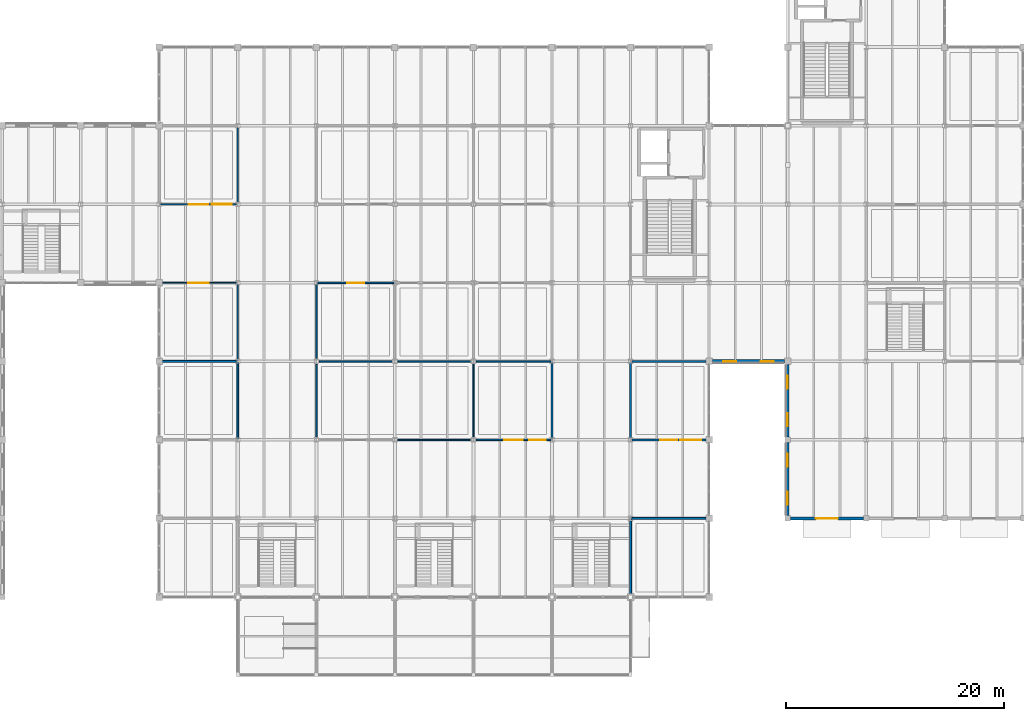
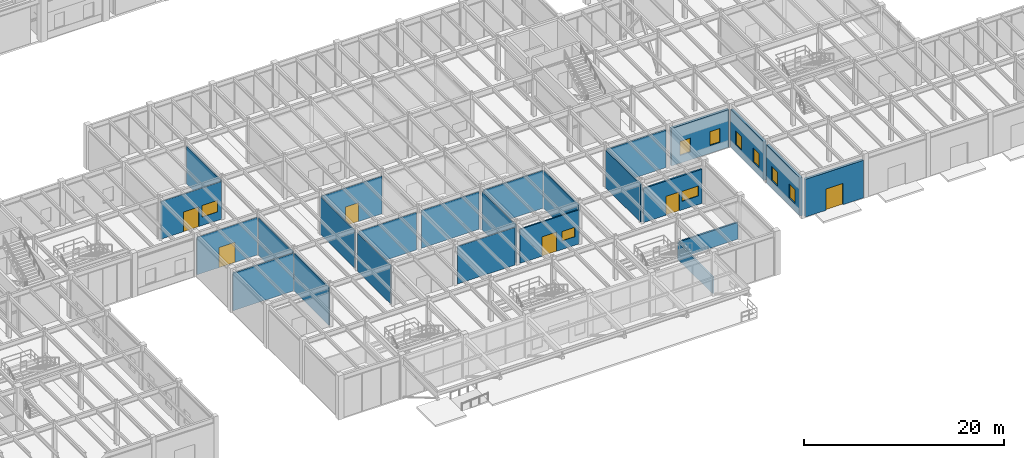
# One storey, part 36 of 97: 25 walls, 9 windows, 6 doors, 15 openings.
"""IFC4 building model written with IfcOpenShell, lengths in metres."""

from ifc_helpers import new_model, si_unit, direction, frame, frame_2d, origin, place, context, subcontext, project, spatial, rectangle, extrude, material, layer, layer_set, type_object, element, fill, save


model = new_model("IFC4")

# Units and contexts
model_context = context("Model", 3, precision=1e-05, world=origin(), true_north=direction((0.0, 1.0)))
body_context = subcontext(model_context, "Body", "Model", "MODEL_VIEW")
ifc_project = project(units=[si_unit("LENGTHUNIT", "METRE"), si_unit("AREAUNIT", "SQUARE_METRE"), si_unit("VOLUMEUNIT", "CUBIC_METRE"), si_unit("PLANEANGLEUNIT", "RADIAN"), si_unit("MASSUNIT", "GRAM", prefix="KILO")], contexts=[model_context])

# Site, building, storey
site_placement = place(None, origin())
site = spatial("IfcSite", under=ifc_project, at=site_placement, CompositionType="ELEMENT")
building_placement = place(site_placement, origin())
building = spatial("IfcBuilding", under=site, at=building_placement, Name="Sillqori Civic Hall", CompositionType="ELEMENT")
storey_placement = place(building_placement, origin())
storey = spatial("IfcBuildingStorey", under=building, at=storey_placement, Name="L01", CompositionType="ELEMENT", Elevation=0.0)

# Wall, openings, windows
ifc_material_1 = material(Name="Precast concrete C40/50 (H40)", Category="concrete")
ifc_layer_1 = layer(ifc_material_1, 0.300048828125)
ifc_layer_set_1 = layer_set([ifc_layer_1], Name="Precast concrete C40/50 (H40)")
wall_type_1 = type_object("IfcWallType", Name="EW-LIME-300", PredefinedType="SOLIDWALL", material=ifc_layer_set_1)
wall_1_placement = place(storey_placement, frame((122.10009765625, 28.800048828125, 0.0), z_axis=(0.0, 0.0, 1.0), x_axis=(-1.0, 0.0, 0.0)))
wall_1 = element("IfcWall", 1, at=wall_1_placement, inside=storey, type_object=wall_type_1, Name="L01 V3 exterior wall L01-16-04-S", PredefinedType="SOLIDWALL", context=body_context, shape_type="SweptSolid", body=[
    extrude(rectangle(XDim=6.60009765625, YDim=0.300048828125, at=frame_2d((3.300048828125, 0.0))), origin(), (0.0, 0.0, 1.0), 4.597900390625),
])
opening_1_placement = place(wall_1_placement, frame((0.98388671875, 0.0, 0.949951171875)))
opening_1 = element("IfcOpeningElement", 2, at=opening_1_placement, cuts=wall_1, Name="Opening W-22", PredefinedType="OPENING", context=body_context, shape_type="SweptSolid", body=[
    extrude(rectangle(XDim=1.199951171875, YDim=1.699951171875, at=frame_2d((0.60009765625, 0.85009765625))), frame((0.0, 0.159912109375, 0.0), z_axis=(0.0, -1.0, 0.0), x_axis=(1.0, 0.0, 0.0)), (0.0, 0.0, 1.0), 0.320068359375),
])
opening_2_placement = place(wall_1_placement, frame((4.416015625, 0.0, 0.949951171875)))
opening_2 = element("IfcOpeningElement", 3, at=opening_2_placement, cuts=wall_1, Name="Opening W-22", PredefinedType="OPENING", context=body_context, shape_type="SweptSolid", body=[
    extrude(rectangle(XDim=1.199951171875, YDim=1.699951171875, at=frame_2d((0.60009765625, 0.85009765625))), frame((0.0, 0.159912109375, 0.0), z_axis=(0.0, -1.0, 0.0), x_axis=(1.0, 0.0, 0.0)), (0.0, 0.0, 1.0), 0.320068359375),
])
ifc_material_2 = material(Name="Thermally Broken Aluminium Low-E Window", Category="aluminium")
window_type_1 = type_object("IfcWindowType", Name="WIN-V5-120X170", PartitioningType="SINGLE_PANEL", PredefinedType="WINDOW", material=ifc_material_2)
window_1_placement = place(opening_1_placement, origin())
window_1 = element("IfcWindow", 4, at=window_1_placement, inside=storey, type_object=window_type_1, Name="L01 V3 window L01-16-04-S.1", OverallHeight=1.699951171875, OverallWidth=1.199951171875, PartitioningType="SINGLE_PANEL", PredefinedType="WINDOW", context=body_context, shape_type="SweptSolid", body=[
    extrude(rectangle(XDim=1.199951171875, YDim=1.699951171875, at=frame_2d((0.60009765625, 0.85009765625))), frame((0.0, 0.030029296875, 0.0), z_axis=(0.0, -1.0, 0.0), x_axis=(1.0, 0.0, 0.0)), (0.0, 0.0, 1.0), 0.06005859375),
])
fill(opening_1, window_1)
window_2_placement = place(opening_2_placement, origin())
window_2 = element("IfcWindow", 5, at=window_2_placement, inside=storey, type_object=window_type_1, Name="L01 V3 window L01-16-04-S.2", OverallHeight=1.699951171875, OverallWidth=1.199951171875, PartitioningType="SINGLE_PANEL", PredefinedType="WINDOW", context=body_context, shape_type="SweptSolid", body=[
    extrude(rectangle(XDim=1.199951171875, YDim=1.699951171875, at=frame_2d((0.60009765625, 0.85009765625))), frame((0.0, 0.030029296875, 0.0), z_axis=(0.0, -1.0, 0.0), x_axis=(1.0, 0.0, 0.0)), (0.0, 0.0, 1.0), 0.06005859375),
])
fill(opening_2, window_2)

# Wall, opening, door
wall_2_placement = place(storey_placement, frame((129.35009765625, 14.39990234375, 0.0), z_axis=(0.0, 0.0, 1.0), x_axis=(-1.0, 0.0, 0.0)))
wall_2 = element("IfcWall", 6, at=wall_2_placement, inside=storey, type_object=wall_type_1, Name="L01 V3 exterior wall L01-17-02-S", PredefinedType="SOLIDWALL", context=body_context, shape_type="SweptSolid", body=[
    extrude(rectangle(XDim=6.7001953125, YDim=0.300048828125, at=frame_2d((3.35009765625, 0.0))), origin(), (0.0, 0.0, 1.0), 4.597900390625),
])
opening_3_placement = place(wall_2_placement, frame((2.35009765625, 0.0, 0.0)))
opening_3 = element("IfcOpeningElement", 7, at=opening_3_placement, cuts=wall_2, Name="Opening ED-03", PredefinedType="OPENING", context=body_context, shape_type="SweptSolid", body=[
    extrude(rectangle(XDim=2.0, YDim=2.60009765625, at=frame_2d((1.0, 1.300048828125))), frame((0.0, 0.159912109375, 0.0), z_axis=(0.0, -1.0, 0.0), x_axis=(1.0, 0.0, 0.0)), (0.0, 0.0, 1.0), 0.320068359375),
])
ifc_material_3 = material(Name="Thermally Broken Anodized Aluminium and Laminated Glass", Category="aluminium")
door_type_1 = type_object("IfcDoorType", Name="EDR-LIBR-200X260", OperationType="NOTDEFINED", PredefinedType="DOOR", material=ifc_material_3)
door_1_placement = place(opening_3_placement, origin())
door_1 = element("IfcDoor", 8, at=door_1_placement, inside=storey, type_object=door_type_1, Name="Members Library West Entrance", OperationType="DOUBLE_DOOR_SINGLE_SWING", OverallHeight=2.60009765625, OverallWidth=2.0, PredefinedType="DOOR", context=body_context, shape_type="SweptSolid", body=[
    extrude(rectangle(XDim=2.0, YDim=2.60009765625, at=frame_2d((1.0, 1.300048828125))), frame((0.0, 0.02490234375, 0.0), z_axis=(0.0, -1.0, 0.0), x_axis=(1.0, 0.0, 0.0)), (0.0, 0.0, 1.0), 0.050048828125),
])
fill(opening_3, door_1)

# Wall, openings, windows
wall_3_placement = place(storey_placement, frame((122.39990234375, 14.64990234375, 0.0), z_axis=(0.0, 0.0, 1.0), x_axis=(0.0, 1.0, 0.0)))
wall_3 = element("IfcWall", 9, at=wall_3_placement, inside=storey, type_object=wall_type_1, Name="L01 V3 exterior wall L01-17-02-W", PredefinedType="SOLIDWALL", context=body_context, shape_type="SweptSolid", body=[
    extrude(rectangle(XDim=6.7001953125, YDim=0.300048828125, at=frame_2d((3.35009765625, 0.0))), origin(), (0.0, 0.0, 1.0), 4.6669921875),
])
opening_4_placement = place(wall_3_placement, frame((1.008056640625, 0.0, 0.949951171875)))
opening_4 = element("IfcOpeningElement", 10, at=opening_4_placement, cuts=wall_3, Name="Opening W-22", PredefinedType="OPENING", context=body_context, shape_type="SweptSolid", body=[
    extrude(rectangle(XDim=1.199951171875, YDim=1.699951171875, at=frame_2d((0.60009765625, 0.85009765625))), frame((0.0, 0.159912109375, 0.0), z_axis=(0.0, -1.0, 0.0), x_axis=(1.0, 0.0, 0.0)), (0.0, 0.0, 1.0), 0.320068359375),
])
opening_5_placement = place(wall_3_placement, frame((4.491943359375, 0.0, 0.949951171875)))
opening_5 = element("IfcOpeningElement", 11, at=opening_5_placement, cuts=wall_3, Name="Opening W-22", PredefinedType="OPENING", context=body_context, shape_type="SweptSolid", body=[
    extrude(rectangle(XDim=1.199951171875, YDim=1.699951171875, at=frame_2d((0.60009765625, 0.85009765625))), frame((0.0, 0.159912109375, 0.0), z_axis=(0.0, -1.0, 0.0), x_axis=(1.0, 0.0, 0.0)), (0.0, 0.0, 1.0), 0.320068359375),
])
window_3_placement = place(opening_4_placement, origin())
window_3 = element("IfcWindow", 12, at=window_3_placement, inside=storey, type_object=window_type_1, Name="L01 V3 window L01-17-02-W.1", OverallHeight=1.699951171875, OverallWidth=1.199951171875, PartitioningType="SINGLE_PANEL", PredefinedType="WINDOW", context=body_context, shape_type="SweptSolid", body=[
    extrude(rectangle(XDim=1.199951171875, YDim=1.699951171875, at=frame_2d((0.60009765625, 0.85009765625))), frame((0.0, 0.030029296875, 0.0), z_axis=(0.0, -1.0, 0.0), x_axis=(1.0, 0.0, 0.0)), (0.0, 0.0, 1.0), 0.06005859375),
])
fill(opening_4, window_3)
window_4_placement = place(opening_5_placement, origin())
window_4 = element("IfcWindow", 13, at=window_4_placement, inside=storey, type_object=window_type_1, Name="L01 V3 window L01-17-02-W.2", OverallHeight=1.699951171875, OverallWidth=1.199951171875, PartitioningType="SINGLE_PANEL", PredefinedType="WINDOW", context=body_context, shape_type="SweptSolid", body=[
    extrude(rectangle(XDim=1.199951171875, YDim=1.699951171875, at=frame_2d((0.60009765625, 0.85009765625))), frame((0.0, 0.030029296875, 0.0), z_axis=(0.0, -1.0, 0.0), x_axis=(1.0, 0.0, 0.0)), (0.0, 0.0, 1.0), 0.06005859375),
])
fill(opening_5, window_4)

wall_4_placement = place(storey_placement, frame((122.39990234375, 21.85009765625, 0.0), z_axis=(0.0, 0.0, 1.0), x_axis=(0.0, 1.0, 0.0)))
wall_4 = element("IfcWall", 14, at=wall_4_placement, inside=storey, type_object=wall_type_1, Name="L01 V3 exterior wall L01-17-03-W", PredefinedType="SOLIDWALL", context=body_context, shape_type="SweptSolid", body=[
    extrude(rectangle(XDim=6.64990234375, YDim=0.300048828125, at=frame_2d((3.324951171875, 0.0))), origin(), (0.0, 0.0, 1.0), 4.6669921875),
])
opening_6_placement = place(wall_4_placement, frame((0.99609375, 0.0, 0.949951171875)))
opening_6 = element("IfcOpeningElement", 15, at=opening_6_placement, cuts=wall_4, Name="Opening W-22", PredefinedType="OPENING", context=body_context, shape_type="SweptSolid", body=[
    extrude(rectangle(XDim=1.199951171875, YDim=1.699951171875, at=frame_2d((0.60009765625, 0.85009765625))), frame((0.0, 0.159912109375, 0.0), z_axis=(0.0, -1.0, 0.0), x_axis=(1.0, 0.0, 0.0)), (0.0, 0.0, 1.0), 0.320068359375),
])
opening_7_placement = place(wall_4_placement, frame((4.4541015625, 0.0, 0.949951171875)))
opening_7 = element("IfcOpeningElement", 16, at=opening_7_placement, cuts=wall_4, Name="Opening W-22", PredefinedType="OPENING", context=body_context, shape_type="SweptSolid", body=[
    extrude(rectangle(XDim=1.199951171875, YDim=1.699951171875, at=frame_2d((0.60009765625, 0.85009765625))), frame((0.0, 0.159912109375, 0.0), z_axis=(0.0, -1.0, 0.0), x_axis=(1.0, 0.0, 0.0)), (0.0, 0.0, 1.0), 0.320068359375),
])
window_5_placement = place(opening_6_placement, origin())
window_5 = element("IfcWindow", 17, at=window_5_placement, inside=storey, type_object=window_type_1, Name="L01 V3 window L01-17-03-W.1", OverallHeight=1.699951171875, OverallWidth=1.199951171875, PartitioningType="SINGLE_PANEL", PredefinedType="WINDOW", context=body_context, shape_type="SweptSolid", body=[
    extrude(rectangle(XDim=1.199951171875, YDim=1.699951171875, at=frame_2d((0.60009765625, 0.85009765625))), frame((0.0, 0.030029296875, 0.0), z_axis=(0.0, -1.0, 0.0), x_axis=(1.0, 0.0, 0.0)), (0.0, 0.0, 1.0), 0.06005859375),
])
fill(opening_6, window_5)
window_6_placement = place(opening_7_placement, origin())
window_6 = element("IfcWindow", 18, at=window_6_placement, inside=storey, type_object=window_type_1, Name="L01 V3 window L01-17-03-W.2", OverallHeight=1.699951171875, OverallWidth=1.199951171875, PartitioningType="SINGLE_PANEL", PredefinedType="WINDOW", context=body_context, shape_type="SweptSolid", body=[
    extrude(rectangle(XDim=1.199951171875, YDim=1.699951171875, at=frame_2d((0.60009765625, 0.85009765625))), frame((0.0, 0.030029296875, 0.0), z_axis=(0.0, -1.0, 0.0), x_axis=(1.0, 0.0, 0.0)), (0.0, 0.0, 1.0), 0.06005859375),
])
fill(opening_7, window_6)

# Wall, opening, door
ifc_material_4 = material(Name="Acoustic Steel-Stud Partition 104", Category="steel")
ifc_layer_2 = layer(ifc_material_4, 0.10400390625)
ifc_layer_set_2 = layer_set([ifc_layer_2], Name="Acoustic Steel-Stud Partition 104")
wall_type_2 = type_object("IfcWallType", Name="PT-GYP-104", PredefinedType="PARTITIONING", material=ifc_layer_set_2)
wall_5_placement = place(storey_placement, frame((64.919921875, 36.0, 0.0), z_axis=(0.0, 0.0, 1.0), x_axis=(1.0, 0.0, 0.0)))
wall_5 = element("IfcWall", 19, at=wall_5_placement, inside=storey, type_object=wall_type_2, Name="Civil Registry Births and Marriages Counter partition N1", PredefinedType="PARTITIONING", context=body_context, shape_type="SweptSolid", body=[
    extrude(rectangle(XDim=6.9599609375, YDim=0.10400390625, at=frame_2d((3.47998046875, 0.0))), origin(), (0.0, 0.0, 1.0), 4.587890625),
])
opening_8_placement = place(wall_5_placement, frame((2.554931640625, 0.0, 0.0)))
opening_8 = element("IfcOpeningElement", 20, at=opening_8_placement, cuts=wall_5, Name="Opening ID-05", PredefinedType="OPENING", context=body_context, shape_type="SweptSolid", body=[
    extrude(rectangle(XDim=1.85009765625, YDim=2.449951171875, at=frame_2d((0.925048828125, 1.22509765625))), frame((0.0, 0.06201171875, 0.0), z_axis=(0.0, -1.0, 0.0), x_axis=(1.0, 0.0, 0.0)), (0.0, 0.0, 1.0), 0.1240234375),
])
ifc_material_5 = material(Name="Citizens Counter Glazed Double Door", Category="aluminium")
door_type_2 = type_object("IfcDoorType", Name="IDR-CSC-185X245", OperationType="NOTDEFINED", PredefinedType="DOOR", material=ifc_material_5)
door_2_placement = place(opening_8_placement, origin())
door_2 = element("IfcDoor", 21, at=door_2_placement, inside=storey, type_object=door_type_2, Name="Civil Registry Births and Marriages Counter entrance door", OperationType="DOUBLE_DOOR_SINGLE_SWING", OverallHeight=2.449951171875, OverallWidth=1.85009765625, PredefinedType="DOOR", context=body_context, shape_type="SweptSolid", body=[
    extrude(rectangle(XDim=1.85009765625, YDim=2.449951171875, at=frame_2d((0.925048828125, 1.22509765625))), frame((0.0, 0.02490234375, 0.0), z_axis=(0.0, -1.0, 0.0), x_axis=(1.0, 0.0, 0.0)), (0.0, 0.0, 1.0), 0.050048828125),
])
fill(opening_8, door_2)

# Wall
wall_6_placement = place(storey_placement, frame((72.0, 35.8798828125, 0.0), z_axis=(0.0, 0.0, 1.0), x_axis=(0.0, -1.0, 0.0)))
element("IfcWall", 22, at=wall_6_placement, inside=storey, type_object=wall_type_2, Name="Civil Registry Births and Marriages Counter partition E3", PredefinedType="PARTITIONING", context=body_context, shape_type="SweptSolid", body=[
    extrude(rectangle(XDim=6.9599609375, YDim=0.10400390625, at=frame_2d((3.47998046875, 0.0))), origin(), (0.0, 0.0, 1.0), 4.587890625),
])

# Wall, openings, door, window
ifc_material_6 = material(Name="Acoustic Steel-Stud Partition 108", Category="steel")
ifc_layer_3 = layer(ifc_material_6, 0.10791015625)
ifc_layer_set_3 = layer_set([ifc_layer_3], Name="Acoustic Steel-Stud Partition 108")
wall_type_3 = type_object("IfcWallType", Name="PT-GYP-108", PredefinedType="PARTITIONING", material=ifc_layer_set_3)
wall_7_placement = place(storey_placement, frame((71.8798828125, 43.199951171875, 0.0), z_axis=(0.0, 0.0, 1.0), x_axis=(-1.0, 0.0, 0.0)))
wall_7 = element("IfcWall", 23, at=wall_7_placement, inside=storey, type_object=wall_type_3, Name="Public Cafe and Andean Civic Salon partition S1", PredefinedType="PARTITIONING", context=body_context, shape_type="SweptSolid", body=[
    extrude(rectangle(XDim=6.9599609375, YDim=0.10791015625, at=frame_2d((3.47998046875, 0.0))), origin(), (0.0, 0.0, 1.0), 4.587890625),
])
opening_9_placement = place(wall_7_placement, frame((2.60498046875, 0.0, 0.0)))
opening_9 = element("IfcOpeningElement", 24, at=opening_9_placement, cuts=wall_7, Name="Opening ID-07", PredefinedType="OPENING", context=body_context, shape_type="SweptSolid", body=[
    extrude(rectangle(XDim=1.75, YDim=2.39990234375, at=frame_2d((0.875, 1.199951171875))), frame((0.0, 0.06396484375, 0.0), z_axis=(0.0, -1.0, 0.0), x_axis=(1.0, 0.0, 0.0)), (0.0, 0.0, 1.0), 0.1279296875),
])
opening_10_placement = place(wall_7_placement, frame((0.449951171875, 0.0, 1.050048828125)))
opening_10 = element("IfcOpeningElement", 25, at=opening_10_placement, cuts=wall_7, Name="Opening IW-04", PredefinedType="OPENING", context=body_context, shape_type="SweptSolid", body=[
    extrude(rectangle(XDim=1.800048828125, YDim=1.39990234375, at=frame_2d((0.89990234375, 0.699951171875))), frame((0.0, 0.06396484375, 0.0), z_axis=(0.0, -1.0, 0.0), x_axis=(1.0, 0.0, 0.0)), (0.0, 0.0, 1.0), 0.1279296875),
])
ifc_material_7 = material(Name="Civic Cafe Framed Glass Door", Category="glass")
door_type_3 = type_object("IfcDoorType", Name="IDR-CAF-175X240", OperationType="NOTDEFINED", PredefinedType="DOOR", material=ifc_material_7)
door_3_placement = place(opening_9_placement, origin())
door_3 = element("IfcDoor", 26, at=door_3_placement, inside=storey, type_object=door_type_3, Name="Public Cafe and Andean Civic Salon entrance door", OperationType="DOUBLE_DOOR_SINGLE_SWING", OverallHeight=2.39990234375, OverallWidth=1.75, PredefinedType="DOOR", context=body_context, shape_type="SweptSolid", body=[
    extrude(rectangle(XDim=1.75, YDim=2.39990234375, at=frame_2d((0.875, 1.199951171875))), frame((0.0, 0.02490234375, 0.0), z_axis=(0.0, -1.0, 0.0), x_axis=(1.0, 0.0, 0.0)), (0.0, 0.0, 1.0), 0.050048828125),
])
fill(opening_9, door_3)
ifc_material_8 = material(Name="Acoustic Laminated Interior Clerestory Glazing", Category="glass")
window_type_2 = type_object("IfcWindowType", Name="IWN-LIB-180X140", PartitioningType="SINGLE_PANEL", PredefinedType="WINDOW", material=ifc_material_8)
window_7_placement = place(opening_10_placement, origin())
window_7 = element("IfcWindow", 27, at=window_7_placement, inside=storey, type_object=window_type_2, Name="Public Cafe and Andean Civic Salon borrowed-light screen", OverallHeight=1.39990234375, OverallWidth=1.800048828125, PartitioningType="SINGLE_PANEL", PredefinedType="WINDOW", context=body_context, shape_type="SweptSolid", body=[
    extrude(rectangle(XDim=1.800048828125, YDim=1.39990234375, at=frame_2d((0.89990234375, 0.699951171875))), frame((0.0, 0.030029296875, 0.0), z_axis=(0.0, -1.0, 0.0), x_axis=(1.0, 0.0, 0.0)), (0.0, 0.0, 1.0), 0.06005859375),
])
fill(opening_10, window_7)

# Walls
wall_8_placement = place(storey_placement, frame((72.0, 50.280029296875, 0.0), z_axis=(0.0, 0.0, 1.0), x_axis=(0.0, -1.0, 0.0)))
element("IfcWall", 28, at=wall_8_placement, inside=storey, type_object=wall_type_3, Name="Public Cafe and Andean Civic Salon partition E4", PredefinedType="PARTITIONING", context=body_context, shape_type="SweptSolid", body=[
    extrude(rectangle(XDim=6.9599609375, YDim=0.10791015625, at=frame_2d((3.47998046875, 0.0))), origin(), (0.0, 0.0, 1.0), 4.587890625),
])
ifc_material_9 = material(Name="Acoustic Steel-Stud Partition 120", Category="steel")
ifc_layer_4 = layer(ifc_material_9, 0.1201171875)
ifc_layer_set_4 = layer_set([ifc_layer_4], Name="Acoustic Steel-Stud Partition 120")
wall_type_4 = type_object("IfcWallType", Name="PT-GYP-120", PredefinedType="PARTITIONING", material=ifc_layer_set_4)
for number, where, z_axis, x_axis, name in (
    (29, (93.320068359375, 21.60009765625, 0.0), (0.0, 0.0, 1.0), (-1.0, 0.0, 0.0), "Civic Bookshop and Municipal Information Kiosk partition S2"),
    (30, (79.47998046875, 28.800048828125, 0.0), (0.0, 0.0, 1.0), (1.0, 0.0, 0.0), "Civic Bookshop and Municipal Information Kiosk partition N3"),
    (31, (86.679931640625, 28.800048828125, 0.0), (0.0, 0.0, 1.0), (1.0, 0.0, 0.0), "Civic Bookshop and Municipal Information Kiosk partition N4"),
):
    element("IfcWall", number, at=place(storey_placement, frame(where, z_axis=z_axis, x_axis=x_axis)), inside=storey, type_object=wall_type_4, Name=name, PredefinedType="PARTITIONING", context=body_context, shape_type="SweptSolid", body=[
        extrude(rectangle(XDim=6.64013671875, YDim=0.1201171875, at=frame_2d((3.320068359375, 0.0))), origin(), (0.0, 0.0, 1.0), 4.587890625),
    ])
for number, where, z_axis, x_axis, name in (
    (32, (79.199951171875, 21.8798828125, 0.0), (0.0, 0.0, 1.0), (0.0, 1.0, 0.0), "Civic Bookshop and Municipal Information Kiosk partition W5"),
    (33, (93.60009765625, 28.52001953125, 0.0), (0.0, 0.0, 1.0), (0.0, -1.0, 0.0), "Civic Bookshop and Municipal Information Kiosk partition E6"),
):
    element("IfcWall", number, at=place(storey_placement, frame(where, z_axis=z_axis, x_axis=x_axis)), inside=storey, type_object=wall_type_4, Name=name, PredefinedType="PARTITIONING", context=body_context, shape_type="SweptSolid", body=[
        extrude(rectangle(XDim=6.64013671875, YDim=0.1201171875, at=frame_2d((3.320068359375, 0.0))), origin(), (0.0, 0.0, 1.0), 4.656982421875),
    ])

# Wall, opening, door
ifc_material_10 = material(Name="Double-Board Acoustic Partition 128", Category="gypsum")
ifc_layer_5 = layer(ifc_material_10, 0.1279296875)
ifc_layer_set_5 = layer_set([ifc_layer_5], Name="Double-Board Acoustic Partition 128")
wall_type_5 = type_object("IfcWallType", Name="PT-GYP-128", PredefinedType="PARTITIONING", material=ifc_layer_set_5)
wall_9_placement = place(storey_placement, frame((79.320068359375, 36.0, 0.0), z_axis=(0.0, 0.0, 1.0), x_axis=(1.0, 0.0, 0.0)))
wall_9 = element("IfcWall", 34, at=wall_9_placement, inside=storey, type_object=wall_type_5, Name="Community Neighbourhood Assembly Room partition N1", PredefinedType="PARTITIONING", context=body_context, shape_type="SweptSolid", body=[
    extrude(rectangle(XDim=6.9599609375, YDim=0.1279296875, at=frame_2d((3.47998046875, 0.0))), origin(), (0.0, 0.0, 1.0), 4.587890625),
])
opening_11_placement = place(wall_9_placement, frame((2.705078125, 0.0, 0.0)))
opening_11 = element("IfcOpeningElement", 35, at=opening_11_placement, cuts=wall_9, Name="Opening ID-08", PredefinedType="OPENING", context=body_context, shape_type="SweptSolid", body=[
    extrude(rectangle(XDim=1.550048828125, YDim=2.300048828125, at=frame_2d((0.77490234375, 1.14990234375))), frame((0.0, 0.073974609375, 0.0), z_axis=(0.0, -1.0, 0.0), x_axis=(1.0, 0.0, 0.0)), (0.0, 0.0, 1.0), 0.14794921875),
])
ifc_material_11 = material(Name="Community Room Double Leaf Door", Category="timber")
door_type_4 = type_object("IfcDoorType", Name="IDR-CMY-155X230", OperationType="NOTDEFINED", PredefinedType="DOOR", material=ifc_material_11)
door_4_placement = place(opening_11_placement, origin())
door_4 = element("IfcDoor", 36, at=door_4_placement, inside=storey, type_object=door_type_4, Name="Community Neighbourhood Assembly Room entrance door", OperationType="DOUBLE_DOOR_SINGLE_SWING", OverallHeight=2.300048828125, OverallWidth=1.550048828125, PredefinedType="DOOR", context=body_context, shape_type="SweptSolid", body=[
    extrude(rectangle(XDim=1.550048828125, YDim=2.300048828125, at=frame_2d((0.77490234375, 1.14990234375))), frame((0.0, 0.02490234375, 0.0), z_axis=(0.0, -1.0, 0.0), x_axis=(1.0, 0.0, 0.0)), (0.0, 0.0, 1.0), 0.050048828125),
])
fill(opening_11, door_4)

# Wall
wall_10_placement = place(storey_placement, frame((79.199951171875, 29.080078125, 0.0), z_axis=(0.0, 0.0, 1.0), x_axis=(0.0, 1.0, 0.0)))
element("IfcWall", 37, at=wall_10_placement, inside=storey, type_object=wall_type_5, Name="Community Neighbourhood Assembly Room partition W3", PredefinedType="PARTITIONING", context=body_context, shape_type="SweptSolid", body=[
    extrude(rectangle(XDim=6.7998046875, YDim=0.1279296875, at=frame_2d((3.39990234375, 0.0))), origin(), (0.0, 0.0, 1.0), 4.587890625),
])

# Wall, openings, door, window
ifc_material_12 = material(Name="Corridor Rated Partition 146", Category="gypsum")
ifc_layer_6 = layer(ifc_material_12, 0.14599609375)
ifc_layer_set_6 = layer_set([ifc_layer_6], Name="Corridor Rated Partition 146")
wall_type_6 = type_object("IfcWallType", Name="PT-GYP-146", PredefinedType="PARTITIONING", material=ifc_layer_set_6)
wall_11_placement = place(storey_placement, frame((100.679931640625, 21.60009765625, 0.0), z_axis=(0.0, 0.0, 1.0), x_axis=(-1.0, 0.0, 0.0)))
wall_11 = element("IfcWall", 38, at=wall_11_placement, inside=storey, type_object=wall_type_6, Name="Municipal Cashier and Revenue Collection Hall L01-09 partition S1", PredefinedType="PARTITIONING", context=body_context, shape_type="SweptSolid", body=[
    extrude(rectangle(XDim=6.800048828125, YDim=0.14599609375, at=frame_2d((3.39990234375, 0.0))), origin(), (0.0, 0.0, 1.0), 4.1640625),
])
opening_12_placement = place(wall_11_placement, frame((2.550048828125, 0.0, 0.0)))
opening_12 = element("IfcOpeningElement", 39, at=opening_12_placement, cuts=wall_11, Name="Opening ID-06", PredefinedType="OPENING", context=body_context, shape_type="SweptSolid", body=[
    extrude(rectangle(XDim=1.699951171875, YDim=2.35009765625, at=frame_2d((0.85009765625, 1.175048828125))), frame((0.0, 0.0830078125, 0.0), z_axis=(0.0, -1.0, 0.0), x_axis=(1.0, 0.0, 0.0)), (0.0, 0.0, 1.0), 0.166015625),
])
opening_13_placement = place(wall_11_placement, frame((0.449951171875, 0.0, 1.050048828125)))
opening_13 = element("IfcOpeningElement", 40, at=opening_13_placement, cuts=wall_11, Name="Opening IW-10", PredefinedType="OPENING", context=body_context, shape_type="SweptSolid", body=[
    extrude(rectangle(XDim=1.5, YDim=1.14990234375, at=frame_2d((0.75, 0.574951171875))), frame((0.0, 0.0830078125, 0.0), z_axis=(0.0, -1.0, 0.0), x_axis=(1.0, 0.0, 0.0)), (0.0, 0.0, 1.0), 0.166015625),
])
ifc_material_13 = material(Name="Revenue Hall Glazed Double Door", Category="aluminium")
door_type_5 = type_object("IfcDoorType", Name="IDR-CSC-170X235", OperationType="NOTDEFINED", PredefinedType="DOOR", material=ifc_material_13)
door_5_placement = place(opening_12_placement, origin())
door_5 = element("IfcDoor", 41, at=door_5_placement, inside=storey, type_object=door_type_5, Name="Municipal Cashier and Revenue Collection Hall L01-09 entrance door", OperationType="DOUBLE_DOOR_SINGLE_SWING", OverallHeight=2.35009765625, OverallWidth=1.699951171875, PredefinedType="DOOR", context=body_context, shape_type="SweptSolid", body=[
    extrude(rectangle(XDim=1.699951171875, YDim=2.35009765625, at=frame_2d((0.85009765625, 1.175048828125))), frame((0.0, 0.02490234375, 0.0), z_axis=(0.0, -1.0, 0.0), x_axis=(1.0, 0.0, 0.0)), (0.0, 0.0, 1.0), 0.050048828125),
])
fill(opening_12, door_5)
window_type_3 = type_object("IfcWindowType", Name="IWN-STU-150X115", PartitioningType="SINGLE_PANEL", PredefinedType="WINDOW", material=ifc_material_8)
window_8_placement = place(opening_13_placement, origin())
window_8 = element("IfcWindow", 42, at=window_8_placement, inside=storey, type_object=window_type_3, Name="Municipal Cashier and Revenue Collection Hall L01-09 borrowed-light screen", OverallHeight=1.14990234375, OverallWidth=1.5, PartitioningType="SINGLE_PANEL", PredefinedType="WINDOW", context=body_context, shape_type="SweptSolid", body=[
    extrude(rectangle(XDim=1.5, YDim=1.14990234375, at=frame_2d((0.75, 0.574951171875))), frame((0.0, 0.030029296875, 0.0), z_axis=(0.0, -1.0, 0.0), x_axis=(1.0, 0.0, 0.0)), (0.0, 0.0, 1.0), 0.06005859375),
])
fill(opening_13, window_8)

# Walls
wall_12_placement = place(storey_placement, frame((93.8798828125, 28.800048828125, 0.0), z_axis=(0.0, 0.0, 1.0), x_axis=(1.0, 0.0, 0.0)))
element("IfcWall", 43, at=wall_12_placement, inside=storey, type_object=wall_type_6, Name="Municipal Cashier and Revenue Collection Hall L01-09 partition N2", PredefinedType="PARTITIONING", context=body_context, shape_type="SweptSolid", body=[
    extrude(rectangle(XDim=6.800048828125, YDim=0.14599609375, at=frame_2d((3.39990234375, 0.0))), origin(), (0.0, 0.0, 1.0), 4.587890625),
])
wall_13_placement = place(storey_placement, frame((100.800048828125, 28.679931640625, 0.0), z_axis=(0.0, 0.0, 1.0), x_axis=(0.0, -1.0, 0.0)))
element("IfcWall", 44, at=wall_13_placement, inside=storey, type_object=wall_type_6, Name="Municipal Cashier and Revenue Collection Hall L01-09 partition E4", PredefinedType="PARTITIONING", context=body_context, shape_type="SweptSolid", body=[
    extrude(rectangle(XDim=6.9599609375, YDim=0.14599609375, at=frame_2d((3.47998046875, 0.0))), origin(), (0.0, 0.0, 1.0), 4.587890625),
])
ifc_material_14 = material(Name="Concrete C25/30 (H25)", Category="concrete")
ifc_layer_7 = layer(ifc_material_14, 0.179931640625)
ifc_layer_set_7 = layer_set([ifc_layer_7], Name="Concrete C25/30 (H25)")
wall_type_7 = type_object("IfcWallType", Name="PT-MAS-180", PredefinedType="PARTITIONING", material=ifc_layer_set_7)
wall_14_placement = place(storey_placement, frame((108.1201171875, 14.39990234375, 0.0), z_axis=(0.0, 0.0, 1.0), x_axis=(1.0, 0.0, 0.0)))
element("IfcWall", 45, at=wall_14_placement, inside=storey, type_object=wall_type_7, Name="Civic Bookshop and Municipal Information Kiosk L01-12 partition N1", PredefinedType="PARTITIONING", context=body_context, shape_type="SweptSolid", body=[
    extrude(rectangle(XDim=6.7998046875, YDim=0.179931640625, at=frame_2d((3.39990234375, 0.0))), origin(), (0.0, 0.0, 1.0), 2.034912109375),
])
wall_15_placement = place(storey_placement, frame((108.0, 7.320068359375, 0.0), z_axis=(0.0, 0.0, 1.0), x_axis=(0.0, 1.0, 0.0)))
element("IfcWall", 46, at=wall_15_placement, inside=storey, type_object=wall_type_7, Name="Civic Bookshop and Municipal Information Kiosk L01-12 partition W2", PredefinedType="PARTITIONING", context=body_context, shape_type="SweptSolid", body=[
    extrude(rectangle(XDim=6.9599609375, YDim=0.179931640625, at=frame_2d((3.47998046875, 0.0))), origin(), (0.0, 0.0, 1.0), 2.034912109375),
])

# Wall, openings, door, window
ifc_layer_8 = layer(ifc_material_14, 0.18505859375)
ifc_layer_set_8 = layer_set([ifc_layer_8], Name="Concrete C25/30 (H25)")
wall_type_8 = type_object("IfcWallType", Name="PT-MAS-185", PredefinedType="PARTITIONING", material=ifc_layer_set_8)
wall_16_placement = place(storey_placement, frame((114.919921875, 21.60009765625, 0.0), z_axis=(0.0, 0.0, 1.0), x_axis=(-1.0, 0.0, 0.0)))
wall_16 = element("IfcWall", 47, at=wall_16_placement, inside=storey, type_object=wall_type_8, Name="Community Neighbourhood Assembly Room L01-13 partition S1", PredefinedType="PARTITIONING", context=body_context, shape_type="SweptSolid", body=[
    extrude(rectangle(XDim=6.7998046875, YDim=0.18505859375, at=frame_2d((3.39990234375, 0.0))), origin(), (0.0, 0.0, 1.0), 4.1640625),
])
opening_14_placement = place(wall_16_placement, frame((2.625, 0.0, 0.0)))
opening_14 = element("IfcOpeningElement", 48, at=opening_14_placement, cuts=wall_16, Name="Opening ID-08", PredefinedType="OPENING", context=body_context, shape_type="SweptSolid", body=[
    extrude(rectangle(XDim=1.550048828125, YDim=2.300048828125, at=frame_2d((0.77490234375, 1.14990234375))), frame((0.0, 0.1025390625, 0.0), z_axis=(0.0, -1.0, 0.0), x_axis=(1.0, 0.0, 0.0)), (0.0, 0.0, 1.0), 0.205078125),
])
opening_15_placement = place(wall_16_placement, frame((0.449951171875, 0.0, 1.050048828125)))
opening_15 = element("IfcOpeningElement", 49, at=opening_15_placement, cuts=wall_16, Name="Opening IW-16", PredefinedType="OPENING", context=body_context, shape_type="SweptSolid", body=[
    extrude(rectangle(XDim=1.89990234375, YDim=1.219970703125, at=frame_2d((0.949951171875, 0.60986328125))), frame((0.0, 0.1025390625, 0.0), z_axis=(0.0, -1.0, 0.0), x_axis=(1.0, 0.0, 0.0)), (0.0, 0.0, 1.0), 0.205078125),
])
door_6_placement = place(opening_14_placement, origin())
door_6 = element("IfcDoor", 50, at=door_6_placement, inside=storey, type_object=door_type_4, Name="Community Neighbourhood Assembly Room L01-13 entrance door", OperationType="DOUBLE_DOOR_SINGLE_SWING", OverallHeight=2.300048828125, OverallWidth=1.550048828125, PredefinedType="DOOR", context=body_context, shape_type="SweptSolid", body=[
    extrude(rectangle(XDim=1.550048828125, YDim=2.300048828125, at=frame_2d((0.77490234375, 1.14990234375))), frame((0.0, 0.02490234375, 0.0), z_axis=(0.0, -1.0, 0.0), x_axis=(1.0, 0.0, 0.0)), (0.0, 0.0, 1.0), 0.050048828125),
])
fill(opening_14, door_6)
window_type_4 = type_object("IfcWindowType", Name="IWN-STU-190X122", PartitioningType="SINGLE_PANEL", PredefinedType="WINDOW", material=ifc_material_8)
window_9_placement = place(opening_15_placement, origin())
window_9 = element("IfcWindow", 51, at=window_9_placement, inside=storey, type_object=window_type_4, Name="Community Neighbourhood Assembly Room L01-13 borrowed-light screen", OverallHeight=1.219970703125, OverallWidth=1.89990234375, PartitioningType="SINGLE_PANEL", PredefinedType="WINDOW", context=body_context, shape_type="SweptSolid", body=[
    extrude(rectangle(XDim=1.89990234375, YDim=1.219970703125, at=frame_2d((0.949951171875, 0.60986328125))), frame((0.0, 0.030029296875, 0.0), z_axis=(0.0, -1.0, 0.0), x_axis=(1.0, 0.0, 0.0)), (0.0, 0.0, 1.0), 0.06005859375),
])
fill(opening_15, window_9)

# Walls
wall_17_placement = place(storey_placement, frame((108.1201171875, 28.800048828125, 0.0), z_axis=(0.0, 0.0, 1.0), x_axis=(1.0, 0.0, 0.0)))
element("IfcWall", 52, at=wall_17_placement, inside=storey, type_object=wall_type_8, Name="Community Neighbourhood Assembly Room L01-13 partition N2", PredefinedType="PARTITIONING", context=body_context, shape_type="SweptSolid", body=[
    extrude(rectangle(XDim=6.7998046875, YDim=0.18505859375, at=frame_2d((3.39990234375, 0.0))), origin(), (0.0, 0.0, 1.0), 4.587890625),
])
wall_18_placement = place(storey_placement, frame((108.0, 21.719970703125, 0.0), z_axis=(0.0, 0.0, 1.0), x_axis=(0.0, 1.0, 0.0)))
element("IfcWall", 53, at=wall_18_placement, inside=storey, type_object=wall_type_8, Name="Community Neighbourhood Assembly Room L01-13 partition W3", PredefinedType="PARTITIONING", context=body_context, shape_type="SweptSolid", body=[
    extrude(rectangle(XDim=6.9599609375, YDim=0.18505859375, at=frame_2d((3.47998046875, 0.0))), origin(), (0.0, 0.0, 1.0), 4.587890625),
])
ifc_material_15 = material(Name="Limestone-Veneer Ceremonial Wall 168", Category="masonry")
ifc_layer_9 = layer(ifc_material_15, 0.16796875)
ifc_layer_set_9 = layer_set([ifc_layer_9], Name="Limestone-Veneer Ceremonial Wall 168")
wall_type_9 = type_object("IfcWallType", Name="PT-STN-168", PredefinedType="PARTITIONING", material=ifc_layer_set_9)
for number, where, z_axis, x_axis, name in (
    (54, (64.919921875, 28.800048828125, 0.0), (0.0, 0.0, 1.0), (1.0, 0.0, 0.0), "Municipal Cashier and Revenue Collection Hall partition N2"),
    (55, (72.0, 28.679931640625, 0.0), (0.0, 0.0, 1.0), (0.0, -1.0, 0.0), "Municipal Cashier and Revenue Collection Hall partition E3"),
):
    element("IfcWall", number, at=place(storey_placement, frame(where, z_axis=z_axis, x_axis=x_axis)), inside=storey, type_object=wall_type_9, Name=name, PredefinedType="PARTITIONING", context=body_context, shape_type="SweptSolid", body=[
        extrude(rectangle(XDim=6.9599609375, YDim=0.16796875, at=frame_2d((3.47998046875, 0.0))), origin(), (0.0, 0.0, 1.0), 4.587890625),
    ])

save(model, "model.ifc")
